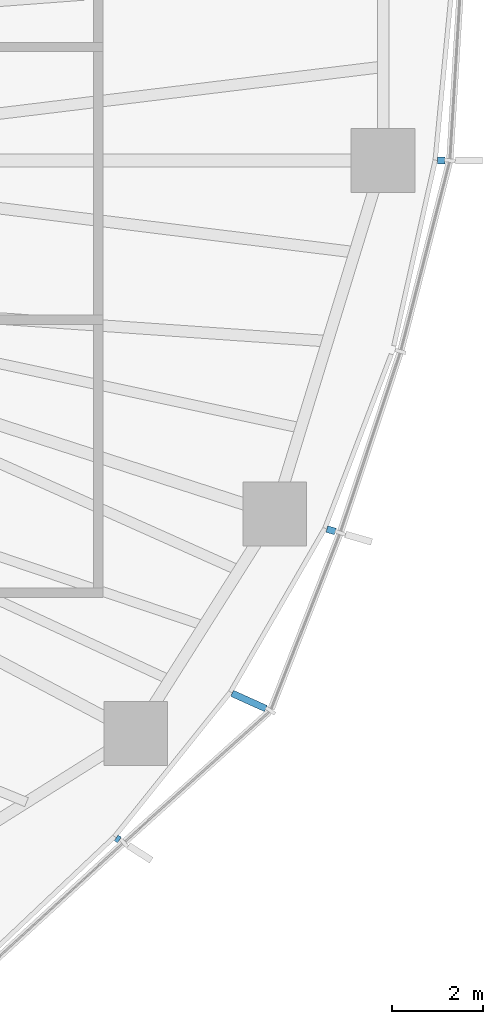
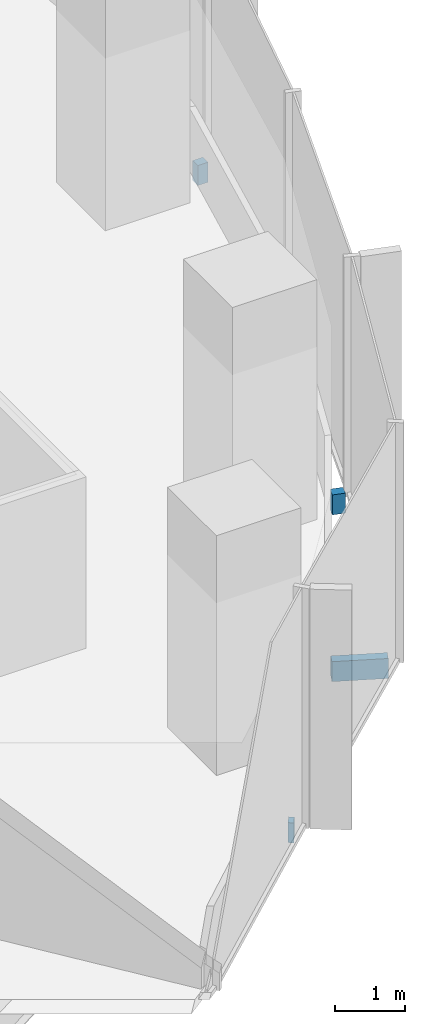
# One storey, part 14 of 18: 4 discrete accessories.
"""IFC4 building model written with IfcOpenShell, lengths in metres."""

from ifc_helpers import new_model, si_unit, direction, frame, origin, origin_2d, place, context, subcontext, project, spatial, rectangle, extrude, material, type_object, element, save


model = new_model("IFC4")

# Units and contexts
model_context = context("Model", 3, precision=1e-05, world=origin(), true_north=direction((0.0, 1.0)))
body_context = subcontext(model_context, "Body", "Model", "MODEL_VIEW")
ifc_project = project(units=[si_unit("LENGTHUNIT", "METRE"), si_unit("AREAUNIT", "SQUARE_METRE"), si_unit("VOLUMEUNIT", "CUBIC_METRE"), si_unit("PLANEANGLEUNIT", "RADIAN"), si_unit("MASSUNIT", "GRAM", prefix="KILO")], contexts=[model_context])

# Site, building, storey
site_placement = place(None, origin())
site = spatial("IfcSite", under=ifc_project, at=site_placement, CompositionType="ELEMENT")
building_placement = place(site_placement, origin())
building = spatial("IfcBuilding", under=site, at=building_placement, Name="Ghaith Harvest Tower", CompositionType="ELEMENT")
storey_placement = place(building_placement, frame((0.0, 0.0, 176.39990234375)))
storey = spatial("IfcBuildingStorey", under=building, at=storey_placement, Name="L38", CompositionType="ELEMENT", Elevation=176.39990234375)

# Discrete accessories
ifc_material_1 = material(Name="Stainless steel grade 1.4401", Category="steel")
discrete_accessory_type_1 = type_object("IfcDiscreteAccessoryType", Name="CURTAIN WALL BRACKET 165", PredefinedType="BRACKET", material=ifc_material_1)
discrete_accessory_1_placement = place(storey_placement, frame((30.5361328125, 0.0, -0.25), z_axis=(0.0, 0.0, 1.0), x_axis=(1.0, 0.0, 0.0)))
element("IfcDiscreteAccessory", 1, at=discrete_accessory_1_placement, inside=storey, type_object=discrete_accessory_type_1, Name="CW-L bracket 1 bay 01 L38", PredefinedType="BRACKET", context=body_context, shape_type="SweptSolid", body=[
    extrude(rectangle(XDim=0.1650390625, YDim=0.14990234375, at=origin_2d()), origin(), (0.0, 0.0, 1.0), 0.35009765625),
])
ifc_material_2 = material(Name="Stainless steel grade 1.4401", Category="steel")
discrete_accessory_type_2 = type_object("IfcDiscreteAccessoryType", Name="CURTAIN WALL BRACKET 195", PredefinedType="BRACKET", material=ifc_material_2)
discrete_accessory_2_placement = place(storey_placement, frame((28.1201171875, -8.127197265625, -0.25), z_axis=(0.0, 0.0, 1.0), x_axis=(0.960680349932, -0.277656739976, 0.0)))
element("IfcDiscreteAccessory", 2, at=discrete_accessory_2_placement, inside=storey, type_object=discrete_accessory_type_2, Name="CW-L bracket 1 bay 20 L38", PredefinedType="BRACKET", context=body_context, shape_type="SweptSolid", body=[
    extrude(rectangle(XDim=0.195068359375, YDim=0.14990234375, at=origin_2d()), origin(), (0.0, 0.0, 1.0), 0.35009765625),
])
ifc_material_3 = material(Name="Stainless steel grade 1.4401", Category="steel")
discrete_accessory_type_3 = type_object("IfcDiscreteAccessoryType", Name="CURTAIN WALL BRACKET 815", PredefinedType="BRACKET", material=ifc_material_3)
discrete_accessory_3_placement = place(storey_placement, frame((26.314697265625, -11.879638671875, -0.25), z_axis=(0.0, 0.0, 1.0), x_axis=(0.911426750831, -0.41146236507, 0.0)))
element("IfcDiscreteAccessory", 3, at=discrete_accessory_3_placement, inside=storey, type_object=discrete_accessory_type_3, Name="CW-L bracket 2 bay 19 L38", PredefinedType="BRACKET", context=body_context, shape_type="SweptSolid", body=[
    extrude(rectangle(XDim=0.81494140625, YDim=0.14990234375, at=origin_2d()), origin(), (0.0, 0.0, 1.0), 0.35009765625),
])
ifc_material_4 = material(Name="Stainless steel grade 1.4401", Category="steel")
discrete_accessory_type_4 = type_object("IfcDiscreteAccessoryType", Name="CURTAIN WALL BRACKET 85", PredefinedType="BRACKET", material=ifc_material_4)
discrete_accessory_4_placement = place(storey_placement, frame((23.431884765625, -14.912353515625, -0.25), z_axis=(0.0, 0.0, 1.0), x_axis=(0.84364397137, -0.536903016913, 0.0)))
element("IfcDiscreteAccessory", 4, at=discrete_accessory_4_placement, inside=storey, type_object=discrete_accessory_type_4, Name="CW-L bracket 1 bay 19 L38", PredefinedType="BRACKET", context=body_context, shape_type="SweptSolid", body=[
    extrude(rectangle(XDim=0.0849609375, YDim=0.14990234375, at=origin_2d()), origin(), (0.0, 0.0, 1.0), 0.35009765625),
])

save(model, "model.ifc")
